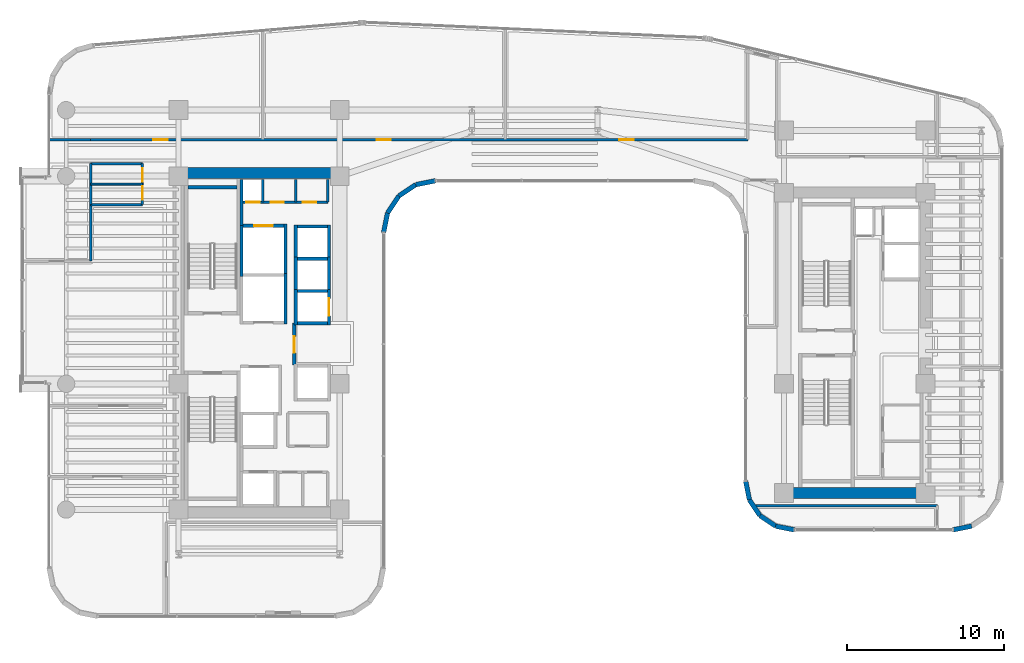
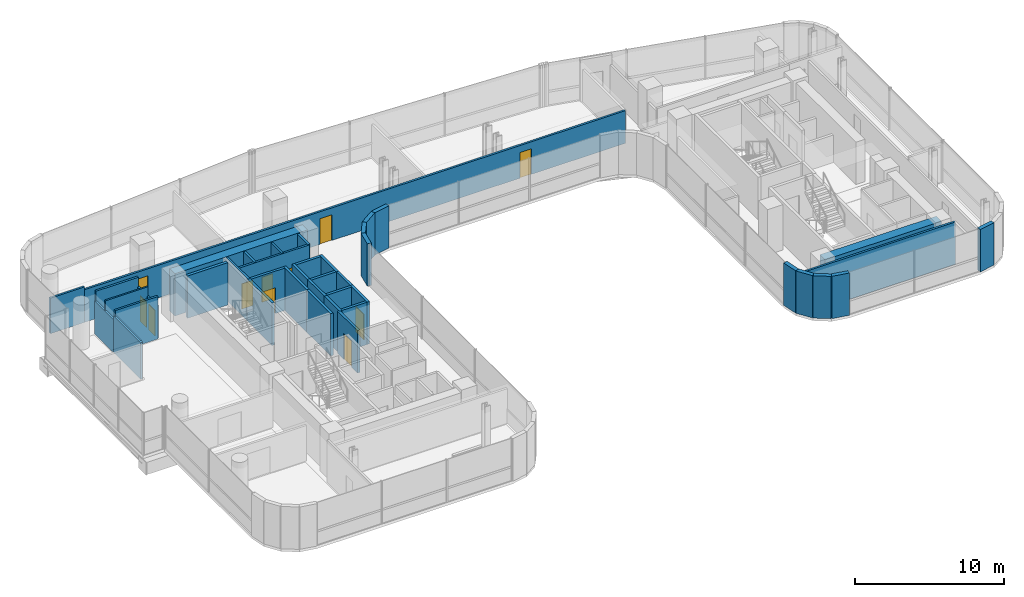
# One storey, part 27 of 34: 41 walls, 11 doors, 11 openings.
"""IFC4 building model written with IfcOpenShell, lengths in metres."""

from ifc_helpers import new_model, si_unit, direction, frame, frame_2d, origin, place, context, subcontext, project, spatial, rectangle, extrude, material, layer, layer_set, type_object, element, fill, save


model = new_model("IFC4")

# Units and contexts
model_context = context("Model", 3, precision=1e-05, world=origin(), true_north=direction((0.0, 1.0)))
body_context = subcontext(model_context, "Body", "Model", "MODEL_VIEW")
ifc_project = project(units=[si_unit("LENGTHUNIT", "METRE"), si_unit("AREAUNIT", "SQUARE_METRE"), si_unit("VOLUMEUNIT", "CUBIC_METRE"), si_unit("PLANEANGLEUNIT", "RADIAN"), si_unit("MASSUNIT", "GRAM", prefix="KILO")], contexts=[model_context])

# Site, building, storey
site_placement = place(None, origin())
site = spatial("IfcSite", under=ifc_project, at=site_placement, CompositionType="ELEMENT")
building_placement = place(site_placement, origin())
building = spatial("IfcBuilding", under=site, at=building_placement, Name="Valdorenza Pilgrim Sanctuary Tower", CompositionType="ELEMENT")
storey_placement = place(building_placement, frame((0.0, 0.0, 146.39990234375)))
storey = spatial("IfcBuildingStorey", under=building, at=storey_placement, Name="L37", CompositionType="ELEMENT", Elevation=146.39990234375)

# Wall
ifc_material_1 = material(Name="Acoustic twin-stud gypsum partition", Category="gypsum")
ifc_layer_1 = layer(ifc_material_1, 0.159912109375, Name="Acoustic twin-stud gypsum partition")
ifc_layer_set_1 = layer_set([ifc_layer_1], Name="Acoustic twin-stud gypsum partition")
wall_type_1 = type_object("IfcWallType", Name="WAL-COR-160", PredefinedType="PARTITIONING", material=ifc_layer_set_1)
wall_1_placement = place(storey_placement, frame((-18.64990234375, 7.449951171875, 0.0), z_axis=(0.0, 0.0, 1.0), x_axis=(0.0, 1.0, 0.0)))
element("IfcWall", 1, at=wall_1_placement, inside=storey, type_object=wall_type_1, Name="L37 Core A North Service West Wall", PredefinedType="PARTITIONING", context=body_context, shape_type="SweptSolid", body=[
    extrude(rectangle(XDim=2.929931640625, YDim=0.159912109375, at=frame_2d((1.46484375, 0.0))), origin(), (0.0, 0.0, 1.0), 3.460205078125),
])

# Wall, openings, doors
wall_2_placement = place(storey_placement, frame((-18.64990234375, 8.949951171875, 0.0), z_axis=(0.0, 0.0, 1.0), x_axis=(1.0, 0.0, 0.0)))
wall_2 = element("IfcWall", 2, at=wall_2_placement, inside=storey, type_object=wall_type_1, Name="L37 Core A North Service South Wall", PredefinedType="PARTITIONING", context=body_context, shape_type="SweptSolid", body=[
    extrude(rectangle(XDim=5.5, YDim=0.159912109375, at=frame_2d((2.75, 0.0))), origin(), (0.0, 0.0, 1.0), 3.460205078125),
])
opening_1_placement = place(wall_2_placement, frame((0.300048828125, 0.0, 0.0)))
opening_1 = element("IfcOpeningElement", 3, at=opening_1_placement, cuts=wall_2, Name="Opening DR-RS1", PredefinedType="OPENING", context=body_context, shape_type="SweptSolid", body=[
    extrude(rectangle(XDim=0.85009765625, YDim=2.050048828125, at=frame_2d((0.425048828125, 1.02490234375))), frame((0.0, 0.0947265625, 0.0), z_axis=(0.0, -1.0, 0.0), x_axis=(1.0, 0.0, 0.0)), (0.0, 0.0, 1.0), 0.189697265625),
])
opening_2_placement = place(wall_2_placement, frame((1.85009765625, 0.0, 0.0)))
opening_2 = element("IfcOpeningElement", 4, at=opening_2_placement, cuts=wall_2, Name="Opening DR-RS1", PredefinedType="OPENING", context=body_context, shape_type="SweptSolid", body=[
    extrude(rectangle(XDim=0.85009765625, YDim=2.050048828125, at=frame_2d((0.425048828125, 1.02490234375))), frame((0.0, 0.0947265625, 0.0), z_axis=(0.0, -1.0, 0.0), x_axis=(1.0, 0.0, 0.0)), (0.0, 0.0, 1.0), 0.189697265625),
])
opening_3_placement = place(wall_2_placement, frame((3.89990234375, 0.0, 0.0)))
opening_3 = element("IfcOpeningElement", 5, at=opening_3_placement, cuts=wall_2, Name="Opening DR-RS1", PredefinedType="OPENING", context=body_context, shape_type="SweptSolid", body=[
    extrude(rectangle(XDim=0.85009765625, YDim=2.050048828125, at=frame_2d((0.425048828125, 1.02490234375))), frame((0.0, 0.0947265625, 0.0), z_axis=(0.0, -1.0, 0.0), x_axis=(1.0, 0.0, 0.0)), (0.0, 0.0, 1.0), 0.189697265625),
])
ifc_material_2 = material(Name="Painted galvanized steel", Category="steel")
door_type_1 = type_object("IfcDoorType", Name="DR-RSR-850", OperationType="NOTDEFINED", PredefinedType="DOOR", material=ifc_material_2)
door_1_placement = place(opening_1_placement, origin())
door_1 = element("IfcDoor", 6, at=door_1_placement, inside=storey, type_object=door_type_1, Name="L37 Core Electrical and Telecom Riser Door", OperationType="SINGLE_SWING_LEFT", OverallHeight=2.050048828125, OverallWidth=0.85009765625, PredefinedType="DOOR", context=body_context, shape_type="SweptSolid", body=[
    extrude(rectangle(XDim=0.85009765625, YDim=2.050048828125, at=frame_2d((0.425048828125, 1.02490234375))), frame((0.0, 0.02490234375, 0.0), z_axis=(0.0, -1.0, 0.0), x_axis=(1.0, 0.0, 0.0)), (0.0, 0.0, 1.0), 0.050048828125),
])
fill(opening_1, door_1)
door_2_placement = place(opening_2_placement, origin())
door_2 = element("IfcDoor", 7, at=door_2_placement, inside=storey, type_object=door_type_1, Name="L37 Housekeeping and Clean Linen Room Door", OperationType="SINGLE_SWING_RIGHT", OverallHeight=2.050048828125, OverallWidth=0.85009765625, PredefinedType="DOOR", context=body_context, shape_type="SweptSolid", body=[
    extrude(rectangle(XDim=0.85009765625, YDim=2.050048828125, at=frame_2d((0.425048828125, 1.02490234375))), frame((0.0, 0.02490234375, 0.0), z_axis=(0.0, -1.0, 0.0), x_axis=(1.0, 0.0, 0.0)), (0.0, 0.0, 1.0), 0.050048828125),
])
fill(opening_2, door_2)
door_3_placement = place(opening_3_placement, origin())
door_3 = element("IfcDoor", 8, at=door_3_placement, inside=storey, type_object=door_type_1, Name="L37 Guest Ice and Vending Pantry Door", OperationType="SINGLE_SWING_LEFT", OverallHeight=2.050048828125, OverallWidth=0.85009765625, PredefinedType="DOOR", context=body_context, shape_type="SweptSolid", body=[
    extrude(rectangle(XDim=0.85009765625, YDim=2.050048828125, at=frame_2d((0.425048828125, 1.02490234375))), frame((0.0, 0.02490234375, 0.0), z_axis=(0.0, -1.0, 0.0), x_axis=(1.0, 0.0, 0.0)), (0.0, 0.0, 1.0), 0.050048828125),
])
fill(opening_3, door_3)

# Walls
for number, where, z_axis, x_axis, name in (
    (9, (-13.14990234375, 8.949951171875, 0.0), (0.0, 0.0, 1.0), (0.0, 1.0, 0.0), "L37 Core A North Service East Wall"),
    (10, (-17.300048828125, 8.949951171875, 0.0), (0.0, 0.0, 1.0), (0.0, 1.0, 0.0), "L37 Core Electrical Riser Wall"),
    (11, (-15.199951171875, 8.949951171875, 0.0), (0.0, 0.0, 1.0), (0.0, 1.0, 0.0), "L37 Core A Housekeeping Split B"),
):
    element("IfcWall", number, at=place(storey_placement, frame(where, z_axis=z_axis, x_axis=x_axis)), inside=storey, type_object=wall_type_1, Name=name, PredefinedType="PARTITIONING", context=body_context, shape_type="SweptSolid", body=[
        extrude(rectangle(XDim=1.429931640625, YDim=0.159912109375, at=frame_2d((0.71484375, 0.0))), origin(), (0.0, 0.0, 1.0), 3.460205078125),
    ])
wall_3_placement = place(storey_placement, frame((-28.25, 8.800048828125, 0.0), z_axis=(0.0, 0.0, 1.0), x_axis=(0.0, 1.0, 0.0)))
element("IfcWall", 12, at=wall_3_placement, inside=storey, type_object=wall_type_1, Name="L37 Washroom West Wall", PredefinedType="PARTITIONING", context=body_context, shape_type="SweptSolid", body=[
    extrude(rectangle(XDim=2.599853515625, YDim=0.159912109375, at=frame_2d((1.2998046875, 0.0))), origin(), (0.0, 0.0, 1.0), 2.666015625),
])

# Wall, openings, doors
wall_4_placement = place(storey_placement, frame((-24.949951171875, 8.800048828125, 0.0), z_axis=(0.0, 0.0, 1.0), x_axis=(0.0, 1.0, 0.0)))
wall_4 = element("IfcWall", 13, at=wall_4_placement, inside=storey, type_object=wall_type_1, Name="L37 Washroom East Wall", PredefinedType="PARTITIONING", context=body_context, shape_type="SweptSolid", body=[
    extrude(rectangle(XDim=2.599853515625, YDim=0.159912109375, at=frame_2d((1.2998046875, 0.0))), origin(), (0.0, 0.0, 1.0), 2.666015625),
])
opening_4_placement = place(wall_4_placement, frame((0.300048828125, 0.0, 0.0)))
opening_4 = element("IfcOpeningElement", 14, at=opening_4_placement, cuts=wall_4, Name="Opening DR-WC1", PredefinedType="OPENING", context=body_context, shape_type="SweptSolid", body=[
    extrude(rectangle(XDim=0.85009765625, YDim=2.10009765625, at=frame_2d((0.425048828125, 1.050048828125))), frame((0.0, 0.0947265625, 0.0), z_axis=(0.0, -1.0, 0.0), x_axis=(1.0, 0.0, 0.0)), (0.0, 0.0, 1.0), 0.189697265625),
])
opening_5_placement = place(wall_4_placement, frame((1.449951171875, 0.0, 0.0)))
opening_5 = element("IfcOpeningElement", 15, at=opening_5_placement, cuts=wall_4, Name="Opening DR-WC1", PredefinedType="OPENING", context=body_context, shape_type="SweptSolid", body=[
    extrude(rectangle(XDim=0.85009765625, YDim=2.10009765625, at=frame_2d((0.425048828125, 1.050048828125))), frame((0.0, 0.0947265625, 0.0), z_axis=(0.0, -1.0, 0.0), x_axis=(1.0, 0.0, 0.0)), (0.0, 0.0, 1.0), 0.189697265625),
])
ifc_material_3 = material(Name="Moisture-resistant lacquered timber", Category="wood")
door_type_2 = type_object("IfcDoorType", Name="DR-BATH-850", OperationType="NOTDEFINED", PredefinedType="DOOR", material=ifc_material_3)
door_4_placement = place(opening_4_placement, origin())
door_4 = element("IfcDoor", 16, at=door_4_placement, inside=storey, type_object=door_type_2, Name="L37 Accessible Washroom Door", OperationType="SINGLE_SWING_LEFT", OverallHeight=2.10009765625, OverallWidth=0.85009765625, PredefinedType="DOOR", context=body_context, shape_type="SweptSolid", body=[
    extrude(rectangle(XDim=0.85009765625, YDim=2.10009765625, at=frame_2d((0.425048828125, 1.050048828125))), frame((0.0, 0.02490234375, 0.0), z_axis=(0.0, -1.0, 0.0), x_axis=(1.0, 0.0, 0.0)), (0.0, 0.0, 1.0), 0.050048828125),
])
fill(opening_4, door_4)
door_5_placement = place(opening_5_placement, origin())
door_5 = element("IfcDoor", 17, at=door_5_placement, inside=storey, type_object=door_type_2, Name="L37 Public Washroom Door", OperationType="SINGLE_SWING_RIGHT", OverallHeight=2.10009765625, OverallWidth=0.85009765625, PredefinedType="DOOR", context=body_context, shape_type="SweptSolid", body=[
    extrude(rectangle(XDim=0.85009765625, YDim=2.10009765625, at=frame_2d((0.425048828125, 1.050048828125))), frame((0.0, 0.02490234375, 0.0), z_axis=(0.0, -1.0, 0.0), x_axis=(1.0, 0.0, 0.0)), (0.0, 0.0, 1.0), 0.050048828125),
])
fill(opening_5, door_5)

# Walls
for number, where, z_axis, x_axis, name in (
    (18, (-28.25, 8.800048828125, 0.0), (0.0, 0.0, 1.0), (1.0, 0.0, 0.0), "L37 Washroom South Wall"),
    (19, (-28.25, 11.39990234375, 0.0), (0.0, 0.0, 1.0), (1.0, 0.0, 0.0), "L37 Washroom North Wall"),
):
    element("IfcWall", number, at=place(storey_placement, frame(where, z_axis=z_axis, x_axis=x_axis)), inside=storey, type_object=wall_type_1, Name=name, PredefinedType="PARTITIONING", context=body_context, shape_type="SweptSolid", body=[
        extrude(rectangle(XDim=3.300048828125, YDim=0.159912109375, at=frame_2d((1.64990234375, 0.0))), origin(), (0.0, 0.0, 1.0), 3.460205078125),
    ])
wall_5_placement = place(storey_placement, frame((-28.25, 5.199951171875, 0.0), z_axis=(0.0, 0.0, 1.0), x_axis=(0.0, 1.0, 0.0)))
element("IfcWall", 20, at=wall_5_placement, inside=storey, type_object=wall_type_1, Name="L37 Cloister NE Closure", PredefinedType="PARTITIONING", context=body_context, shape_type="SweptSolid", body=[
    extrude(rectangle(XDim=3.60009765625, YDim=0.159912109375, at=frame_2d((1.800048828125, 0.0))), origin(), (0.0, 0.0, 1.0), 2.988037109375),
])
wall_6_placement = place(storey_placement, frame((-30.889892578125, 12.919921875, 0.0), z_axis=(0.0, 0.0, 1.0), x_axis=(1.0, 0.0, 0.0)))
element("IfcWall", 21, at=wall_6_placement, inside=storey, type_object=wall_type_1, Name="L37 Cloister North Solid Partition", PredefinedType="PARTITIONING", context=body_context, shape_type="SweptSolid", body=[
    extrude(rectangle(XDim=2.639892578125, YDim=0.159912109375, at=frame_2d((1.31982421875, 0.0))), origin(), (0.0, 0.0, 1.0), 2.89599609375),
])

# Wall, openings, doors
wall_7_placement = place(storey_placement, frame((-28.25, 12.919921875, 0.0), z_axis=(0.0, 0.0, 1.0), x_axis=(1.0, 0.0, 0.0)))
wall_7 = element("IfcWall", 22, at=wall_7_placement, inside=storey, type_object=wall_type_1, Name="L37 North Corridor Wall", PredefinedType="PARTITIONING", context=body_context, shape_type="SweptSolid", body=[
    extrude(rectangle(XDim=41.800048828125, YDim=0.159912109375, at=frame_2d((20.89990234375, 0.0))), origin(), (0.0, 0.0, 1.0), 2.666015625),
])
opening_6_placement = place(wall_7_placement, frame((4.0, 0.0, 0.0)))
opening_6 = element("IfcOpeningElement", 23, at=opening_6_placement, cuts=wall_7, Name="Opening DR-RM1", PredefinedType="OPENING", context=body_context, shape_type="SweptSolid", body=[
    extrude(rectangle(XDim=0.89990234375, YDim=2.10009765625, at=frame_2d((0.449951171875, 1.050048828125))), frame((0.0, 0.0947265625, 0.0), z_axis=(0.0, -1.0, 0.0), x_axis=(1.0, 0.0, 0.0)), (0.0, 0.0, 1.0), 0.189697265625),
])
opening_7_placement = place(wall_7_placement, frame((18.205078125, 0.0, 0.0)))
opening_7 = element("IfcOpeningElement", 24, at=opening_7_placement, cuts=wall_7, Name="Opening DR-RM1", PredefinedType="OPENING", context=body_context, shape_type="SweptSolid", body=[
    extrude(rectangle(XDim=0.89990234375, YDim=2.10009765625, at=frame_2d((0.449951171875, 1.050048828125))), frame((0.0, 0.0947265625, 0.0), z_axis=(0.0, -1.0, 0.0), x_axis=(1.0, 0.0, 0.0)), (0.0, 0.0, 1.0), 0.189697265625),
])
opening_8_placement = place(wall_7_placement, frame((33.635009765625, 0.0, 0.0)))
opening_8 = element("IfcOpeningElement", 25, at=opening_8_placement, cuts=wall_7, Name="Opening DR-RM1", PredefinedType="OPENING", context=body_context, shape_type="SweptSolid", body=[
    extrude(rectangle(XDim=0.89990234375, YDim=2.10009765625, at=frame_2d((0.449951171875, 1.050048828125))), frame((0.0, 0.0947265625, 0.0), z_axis=(0.0, -1.0, 0.0), x_axis=(1.0, 0.0, 0.0)), (0.0, 0.0, 1.0), 0.189697265625),
])
ifc_material_4 = material(Name="Solid-core European oak timber", Category="wood")
door_type_3 = type_object("IfcDoorType", Name="DR-ROOM-900", OperationType="NOTDEFINED", PredefinedType="DOOR", material=ifc_material_4)
door_6_placement = place(opening_6_placement, frame((0.89990234375, 0.0, 0.0), z_axis=(0.0, 0.0, 1.0), x_axis=(-1.0, 0.0, 0.0)))
door_6 = element("IfcDoor", 26, at=door_6_placement, inside=storey, type_object=door_type_3, Name="L37 Private Banquet Dining Room L37-N1 Door", OperationType="SINGLE_SWING_LEFT", OverallHeight=2.10009765625, OverallWidth=0.89990234375, PredefinedType="DOOR", context=body_context, shape_type="SweptSolid", body=[
    extrude(rectangle(XDim=0.89990234375, YDim=2.10009765625, at=frame_2d((0.449951171875, 1.050048828125))), frame((0.0, 0.02490234375, 0.0), z_axis=(0.0, -1.0, 0.0), x_axis=(1.0, 0.0, 0.0)), (0.0, 0.0, 1.0), 0.050048828125),
])
fill(opening_6, door_6)
door_7_placement = place(opening_7_placement, origin())
door_7 = element("IfcDoor", 27, at=door_7_placement, inside=storey, type_object=door_type_3, Name="L37 Private Banquet Dining Room L37-N2 Door", OperationType="SINGLE_SWING_RIGHT", OverallHeight=2.10009765625, OverallWidth=0.89990234375, PredefinedType="DOOR", context=body_context, shape_type="SweptSolid", body=[
    extrude(rectangle(XDim=0.89990234375, YDim=2.10009765625, at=frame_2d((0.449951171875, 1.050048828125))), frame((0.0, 0.02490234375, 0.0), z_axis=(0.0, -1.0, 0.0), x_axis=(1.0, 0.0, 0.0)), (0.0, 0.0, 1.0), 0.050048828125),
])
fill(opening_7, door_7)
door_8_placement = place(opening_8_placement, frame((0.89990234375, 0.0, 0.0), z_axis=(0.0, 0.0, 1.0), x_axis=(-1.0, 0.0, 0.0)))
door_8 = element("IfcDoor", 28, at=door_8_placement, inside=storey, type_object=door_type_3, Name="L37 Private Banquet Dining Room L37-N3 Door", OperationType="SINGLE_SWING_LEFT", OverallHeight=2.10009765625, OverallWidth=0.89990234375, PredefinedType="DOOR", context=body_context, shape_type="SweptSolid", body=[
    extrude(rectangle(XDim=0.89990234375, YDim=2.10009765625, at=frame_2d((0.449951171875, 1.050048828125))), frame((0.0, 0.02490234375, 0.0), z_axis=(0.0, -1.0, 0.0), x_axis=(1.0, 0.0, 0.0)), (0.0, 0.0, 1.0), 0.050048828125),
])
fill(opening_8, door_8)

# Walls
wall_8_placement = place(storey_placement, frame((14.043701171875, -10.35009765625, 0.0), z_axis=(0.0, 0.0, 1.0), x_axis=(1.0, 0.0, 0.0)))
element("IfcWall", 29, at=wall_8_placement, inside=storey, type_object=wall_type_1, Name="L37 Wing B South Closure", PredefinedType="PARTITIONING", context=body_context, shape_type="SweptSolid", body=[
    extrude(rectangle(XDim=11.556396484375, YDim=0.159912109375, at=frame_2d((5.7783203125, 0.0))), origin(), (0.0, 0.0, 1.0), 3.460205078125),
])
ifc_material_5 = material(Name="Concrete C60/75", Category="concrete")
ifc_layer_2 = layer(ifc_material_5, 0.699951171875, Name="Concrete C60/75")
ifc_layer_set_2 = layer_set([ifc_layer_2], Name="Concrete C60/75")
wall_type_2 = type_object("IfcWallType", Name="WAL-COR-700", PredefinedType="SHEAR", material=ifc_layer_set_2)
wall_9_placement = place(storey_placement, frame((-22.64990234375, 10.800048828125, 0.0), z_axis=(0.0, 0.0, 1.0), x_axis=(1.0, 0.0, 0.0)))
element("IfcWall", 30, at=wall_9_placement, inside=storey, type_object=wall_type_2, Name="L37 Split Core A Shear Wall N", PredefinedType="SHEAR", context=body_context, shape_type="SweptSolid", body=[
    extrude(rectangle(XDim=10.25, YDim=0.699951171875, at=frame_2d((5.125, 0.0))), origin(), (0.0, 0.0, 1.0), 3.460205078125),
])
wall_10_placement = place(storey_placement, frame((15.85009765625, -9.550048828125, 0.0), z_axis=(0.0, 0.0, 1.0), x_axis=(1.0, 0.0, 0.0)))
element("IfcWall", 31, at=wall_10_placement, inside=storey, type_object=wall_type_2, Name="L37 Split Core B Shear Wall S", PredefinedType="SHEAR", context=body_context, shape_type="SweptSolid", body=[
    extrude(rectangle(XDim=9.0, YDim=0.699951171875, at=frame_2d((4.5, 0.0))), origin(), (0.0, 0.0, 1.0), 3.460205078125),
])
ifc_material_6 = material(Name="Honed travertine limestone", Category="masonry")
ifc_layer_3 = layer(ifc_material_6, 0.300048828125, Name="Honed travertine limestone")
ifc_layer_set_3 = layer_set([ifc_layer_3], Name="Honed travertine limestone")
wall_type_3 = type_object("IfcWallType", Name="WAL-EXT-300", PredefinedType="SOLIDWALL", material=ifc_layer_set_3)
wall_11_placement = place(storey_placement, frame((27.78173828125, -11.65283203125, 0.0), z_axis=(0.0, 0.0, 1.0), x_axis=(-0.980811661072, -0.194957650543, 0.0)))
element("IfcWall", 32, at=wall_11_placement, inside=storey, type_object=wall_type_3, Name="L37 Rounded Wind-Corner Stone Pier 25", PredefinedType="SOLIDWALL", context=body_context, shape_type="SweptSolid", body=[
    extrude(rectangle(XDim=1.216064453125, YDim=0.300048828125, at=frame_2d((0.60791015625, 0.0))), origin(), (0.0, 0.0, 1.0), 3.460205078125),
])
wall_12_placement = place(storey_placement, frame((16.5107421875, -11.889892578125, 0.0), z_axis=(0.0, 0.0, 1.0), x_axis=(-0.980804027463, 0.194996050505, 0.0)))
element("IfcWall", 33, at=wall_12_placement, inside=storey, type_object=wall_type_3, Name="L37 Rounded Wind-Corner Stone Pier 27", PredefinedType="SOLIDWALL", context=body_context, shape_type="SweptSolid", body=[
    extrude(rectangle(XDim=1.2158203125, YDim=0.300048828125, at=frame_2d((0.60791015625, 0.0))), origin(), (0.0, 0.0, 1.0), 3.460205078125),
])
for number, where, z_axis, x_axis, name in (
    (34, (15.318359375, -11.65283203125, 0.0), (0.0, 0.0, 1.0), (-0.831426265255, 0.555635100982, 0.0), "L37 Rounded Wind-Corner Stone Pier 28"),
    (35, (14.316650390625, -10.9833984375, 0.0), (0.0, 0.0, 1.0), (-0.555635100982, 0.831426265255, 0.0), "L37 Rounded Wind-Corner Stone Pier 29"),
):
    element("IfcWall", number, at=place(storey_placement, frame(where, z_axis=z_axis, x_axis=x_axis)), inside=storey, type_object=wall_type_3, Name=name, PredefinedType="SOLIDWALL", context=body_context, shape_type="SweptSolid", body=[
        extrude(rectangle(XDim=1.204833984375, YDim=0.300048828125, at=frame_2d((0.6025390625, 0.0))), origin(), (0.0, 0.0, 1.0), 3.460205078125),
    ])
wall_13_placement = place(storey_placement, frame((13.647216796875, -9.981689453125, 0.0), z_axis=(0.0, 0.0, 1.0), x_axis=(-0.195189223115, 0.980765602568, 0.0)))
element("IfcWall", 36, at=wall_13_placement, inside=storey, type_object=wall_type_3, Name="L37 Rounded Wind-Corner Stone Pier 30", PredefinedType="SOLIDWALL", context=body_context, shape_type="SweptSolid", body=[
    extrude(rectangle(XDim=1.2158203125, YDim=0.300048828125, at=frame_2d((0.60791015625, 0.0))), origin(), (0.0, 0.0, 1.0), 3.460205078125),
])
wall_14_placement = place(storey_placement, frame((-6.310791015625, 10.31005859375, 0.0), z_axis=(0.0, 0.0, 1.0), x_axis=(-0.980778058848, -0.195126623715, 0.0)))
element("IfcWall", 37, at=wall_14_placement, inside=storey, type_object=wall_type_3, Name="L37 Rounded Wind-Corner Stone Pier 37", PredefinedType="SOLIDWALL", context=body_context, shape_type="SweptSolid", body=[
    extrude(rectangle(XDim=1.28125, YDim=0.300048828125, at=frame_2d((0.640625, 0.0))), origin(), (0.0, 0.0, 1.0), 3.460205078125),
])
wall_15_placement = place(storey_placement, frame((-7.5673828125, 10.06005859375, 0.0), z_axis=(0.0, 0.0, 1.0), x_axis=(-0.831497739511, -0.555528135371, 0.0)))
element("IfcWall", 38, at=wall_15_placement, inside=storey, type_object=wall_type_3, Name="L37 Rounded Wind-Corner Stone Pier 38", PredefinedType="SOLIDWALL", context=body_context, shape_type="SweptSolid", body=[
    extrude(rectangle(XDim=1.29248046875, YDim=0.300048828125, at=frame_2d((0.646240234375, 0.0))), origin(), (0.0, 0.0, 1.0), 3.460205078125),
])
wall_16_placement = place(storey_placement, frame((-8.64208984375, 9.342041015625, 0.0), z_axis=(0.0, 0.0, 1.0), x_axis=(-0.555615398575, -0.831439431869, 0.0)))
element("IfcWall", 39, at=wall_16_placement, inside=storey, type_object=wall_type_3, Name="L37 Rounded Wind-Corner Stone Pier 39", PredefinedType="SOLIDWALL", context=body_context, shape_type="SweptSolid", body=[
    extrude(rectangle(XDim=1.292236328125, YDim=0.300048828125, at=frame_2d((0.64599609375, 0.0))), origin(), (0.0, 0.0, 1.0), 3.460205078125),
])
wall_17_placement = place(storey_placement, frame((-9.360107421875, 8.267578125, 0.0), z_axis=(0.0, 0.0, 1.0), x_axis=(-0.195090163074, -0.980785312019, 0.0)))
element("IfcWall", 40, at=wall_17_placement, inside=storey, type_object=wall_type_3, Name="L37 Rounded Wind-Corner Stone Pier 40", PredefinedType="SOLIDWALL", context=body_context, shape_type="SweptSolid", body=[
    extrude(rectangle(XDim=1.281494140625, YDim=0.300048828125, at=frame_2d((0.640625, 0.0))), origin(), (0.0, 0.0, 1.0), 3.460205078125),
])

# Wall, opening, door
ifc_material_7 = material(Name="Gypsum shaftwall partition", Category="gypsum")
ifc_layer_4 = layer(ifc_material_7, 0.199951171875, Name="Gypsum shaftwall partition")
ifc_layer_set_4 = layer_set([ifc_layer_4], Name="Gypsum shaftwall partition")
wall_type_4 = type_object("IfcWallType", Name="WAL-FFL-200", PredefinedType="PARTITIONING", material=ifc_layer_set_4)
wall_18_placement = place(storey_placement, frame((-15.300048828125, -1.419921875, 0.0), z_axis=(0.0, 0.0, 1.0), x_axis=(0.0, 1.0, 0.0)))
wall_18 = element("IfcWall", 41, at=wall_18_placement, inside=storey, type_object=wall_type_4, Name="L37 Core A Firefighting Lobby East Wall", PredefinedType="PARTITIONING", context=body_context, shape_type="SweptSolid", body=[
    extrude(rectangle(XDim=2.669921875, YDim=0.199951171875, at=frame_2d((1.3349609375, 0.0))), origin(), (0.0, 0.0, 1.0), 3.460205078125),
])
opening_9_placement = place(wall_18_placement, frame((0.780029296875, 0.0, 0.0)))
opening_9 = element("IfcOpeningElement", 42, at=opening_9_placement, cuts=wall_18, Name="Opening DR-FL1", PredefinedType="OPENING", context=body_context, shape_type="SweptSolid", body=[
    extrude(rectangle(XDim=1.050048828125, YDim=2.14990234375, at=frame_2d((0.52490234375, 1.074951171875))), frame((0.0, 0.11474609375, 0.0), z_axis=(0.0, -1.0, 0.0), x_axis=(1.0, 0.0, 0.0)), (0.0, 0.0, 1.0), 0.229736328125),
])
door_type_4 = type_object("IfcDoorType", Name="DR-FFL-1050", OperationType="NOTDEFINED", PredefinedType="DOOR", material=ifc_material_2)
door_9_placement = place(opening_9_placement, origin())
door_9 = element("IfcDoor", 43, at=door_9_placement, inside=storey, type_object=door_type_4, Name="L37 Core A Firefighting Lobby Door", OperationType="SINGLE_SWING_RIGHT", OverallHeight=2.14990234375, OverallWidth=1.050048828125, PredefinedType="DOOR", context=body_context, shape_type="SweptSolid", body=[
    extrude(rectangle(XDim=1.050048828125, YDim=2.14990234375, at=frame_2d((0.52490234375, 1.074951171875))), frame((0.0, 0.02490234375, 0.0), z_axis=(0.0, -1.0, 0.0), x_axis=(1.0, 0.0, 0.0)), (0.0, 0.0, 1.0), 0.050048828125),
])
fill(opening_9, door_9)

# Walls
ifc_material_8 = material(Name="Moisture-resistant gypsum partition", Category="gypsum")
ifc_layer_5 = layer(ifc_material_8, 0.1201171875, Name="Moisture-resistant gypsum partition")
ifc_layer_set_5 = layer_set([ifc_layer_5], Name="Moisture-resistant gypsum partition")
wall_type_5 = type_object("IfcWallType", Name="WAL-INT-120", PredefinedType="PARTITIONING", material=ifc_layer_set_5)
wall_19_placement = place(storey_placement, frame((-28.25, 10.10009765625, 0.0), z_axis=(0.0, 0.0, 1.0), x_axis=(1.0, 0.0, 0.0)))
element("IfcWall", 44, at=wall_19_placement, inside=storey, type_object=wall_type_5, Name="L37 Washroom Divider Wall", PredefinedType="PARTITIONING", context=body_context, shape_type="SweptSolid", body=[
    extrude(rectangle(XDim=3.300048828125, YDim=0.1201171875, at=frame_2d((1.64990234375, 0.0))), origin(), (0.0, 0.0, 1.0), 3.460205078125),
])
ifc_material_9 = material(Name="Autoclaved aerated concrete blockwork", Category="masonry")
ifc_layer_6 = layer(ifc_material_9, 0.199951171875, Name="Autoclaved aerated concrete blockwork")
ifc_layer_set_6 = layer_set([ifc_layer_6], Name="Autoclaved aerated concrete blockwork")
wall_type_6 = type_object("IfcWallType", Name="WAL-SHF-200", PredefinedType="MOVABLE", material=ifc_layer_set_6)
wall_20_placement = place(storey_placement, frame((-15.85009765625, 1.199951171875, 0.0), z_axis=(0.0, 0.0, 1.0), x_axis=(0.0, 1.0, 0.0)))
element("IfcWall", 45, at=wall_20_placement, inside=storey, type_object=wall_type_6, Name="L37 Lift FFL-01 Hoistway Wall East", PredefinedType="MOVABLE", context=body_context, shape_type="SweptSolid", body=[
    extrude(rectangle(XDim=3.22509765625, YDim=0.199951171875, at=frame_2d((1.612548828125, 0.0))), origin(), (0.0, 0.0, 1.0), 3.460205078125),
])
for number, where, z_axis, x_axis, name in (
    (46, (-18.64990234375, 4.22509765625, 0.0), (0.0, 0.0, 1.0), (0.0, 1.0, 0.0), "L37 Lift SVL-01 Hoistway Wall West"),
    (47, (-15.85009765625, 4.22509765625, 0.0), (0.0, 0.0, 1.0), (0.0, 1.0, 0.0), "L37 Lift SVL-01 Hoistway Wall East"),
):
    element("IfcWall", number, at=place(storey_placement, frame(where, z_axis=z_axis, x_axis=x_axis)), inside=storey, type_object=wall_type_6, Name=name, PredefinedType="MOVABLE", context=body_context, shape_type="SweptSolid", body=[
        extrude(rectangle(XDim=3.324951171875, YDim=0.199951171875, at=frame_2d((1.66259765625, 0.0))), origin(), (0.0, 0.0, 1.0), 3.460205078125),
    ])

# Wall, opening, door
wall_21_placement = place(storey_placement, frame((-18.550048828125, 7.449951171875, 0.0), z_axis=(0.0, 0.0, 1.0), x_axis=(1.0, 0.0, 0.0)))
wall_21 = element("IfcWall", 48, at=wall_21_placement, inside=storey, type_object=wall_type_6, Name="L37 Lift SVL-01 Hoistway Wall North", PredefinedType="MOVABLE", context=body_context, shape_type="SweptSolid", body=[
    extrude(rectangle(XDim=2.60009765625, YDim=0.199951171875, at=frame_2d((1.300048828125, 0.0))), origin(), (0.0, 0.0, 1.0), 3.460205078125),
])
opening_10_placement = place(wall_21_placement, frame((0.699951171875, 0.0, 0.0)))
opening_10 = element("IfcOpeningElement", 49, at=opening_10_placement, cuts=wall_21, Name="Opening LD-02", PredefinedType="OPENING", context=body_context, shape_type="SweptSolid", body=[
    extrude(rectangle(XDim=1.199951171875, YDim=2.10009765625, at=frame_2d((0.60009765625, 1.050048828125))), frame((0.0, 0.11474609375, 0.0), z_axis=(0.0, -1.0, 0.0), x_axis=(1.0, 0.0, 0.0)), (0.0, 0.0, 1.0), 0.229736328125),
])
ifc_material_10 = material(Name="Brushed stainless steel Grade 316", Category="steel")
door_type_5 = type_object("IfcDoorType", Name="DR-LFT-1200", OperationType="DOUBLE_DOOR_SLIDING", PredefinedType="DOOR", material=ifc_material_10)
door_10_placement = place(opening_10_placement, origin())
door_10 = element("IfcDoor", 50, at=door_10_placement, inside=storey, type_object=door_type_5, Name="L37 Lift SVL-01 Sliding Landing Door", OperationType="DOUBLE_DOOR_SLIDING", OverallHeight=2.10009765625, OverallWidth=1.199951171875, PredefinedType="DOOR", context=body_context, shape_type="SweptSolid", body=[
    extrude(rectangle(XDim=1.199951171875, YDim=2.10009765625, at=frame_2d((0.60009765625, 1.050048828125))), frame((0.0, 0.02490234375, 0.0), z_axis=(0.0, -1.0, 0.0), x_axis=(1.0, 0.0, 0.0)), (0.0, 0.0, 1.0), 0.050048828125),
])
fill(opening_10, door_10)

# Wall
wall_22_placement = place(storey_placement, frame((-15.199951171875, 1.14990234375, 0.0), z_axis=(0.0, 0.0, 1.0), x_axis=(0.0, 1.0, 0.0)))
element("IfcWall", 51, at=wall_22_placement, inside=storey, type_object=wall_type_6, Name="L37 Lift PL-06 Hoistway Wall West", PredefinedType="MOVABLE", context=body_context, shape_type="SweptSolid", body=[
    extrude(rectangle(XDim=2.25, YDim=0.199951171875, at=frame_2d((1.125, 0.0))), origin(), (0.0, 0.0, 1.0), 3.460205078125),
])

# Wall, opening, door
wall_23_placement = place(storey_placement, frame((-13.080078125, 1.14990234375, 0.0), z_axis=(0.0, 0.0, 1.0), x_axis=(0.0, 1.0, 0.0)))
wall_23 = element("IfcWall", 52, at=wall_23_placement, inside=storey, type_object=wall_type_6, Name="L37 Lift PL-06 Hoistway Wall East", PredefinedType="MOVABLE", context=body_context, shape_type="SweptSolid", body=[
    extrude(rectangle(XDim=2.25, YDim=0.199951171875, at=frame_2d((1.125, 0.0))), origin(), (0.0, 0.0, 1.0), 3.460205078125),
])
opening_11_placement = place(wall_23_placement, frame((0.574951171875, 0.0, 0.0)))
opening_11 = element("IfcOpeningElement", 53, at=opening_11_placement, cuts=wall_23, Name="Opening LD-01", PredefinedType="OPENING", context=body_context, shape_type="SweptSolid", body=[
    extrude(rectangle(XDim=1.10009765625, YDim=2.10009765625, at=frame_2d((0.550048828125, 1.050048828125))), frame((0.0, 0.11474609375, 0.0), z_axis=(0.0, -1.0, 0.0), x_axis=(1.0, 0.0, 0.0)), (0.0, 0.0, 1.0), 0.229736328125),
])
door_type_6 = type_object("IfcDoorType", Name="DR-LFT-1100", OperationType="DOUBLE_DOOR_SLIDING", PredefinedType="DOOR", material=ifc_material_10)
door_11_placement = place(opening_11_placement, origin())
door_11 = element("IfcDoor", 54, at=door_11_placement, inside=storey, type_object=door_type_6, Name="L37 Lift PL-06 Sliding Landing Door", OperationType="DOUBLE_DOOR_SLIDING", OverallHeight=2.10009765625, OverallWidth=1.10009765625, PredefinedType="DOOR", context=body_context, shape_type="SweptSolid", body=[
    extrude(rectangle(XDim=1.10009765625, YDim=2.10009765625, at=frame_2d((0.550048828125, 1.050048828125))), frame((0.0, 0.02490234375, 0.0), z_axis=(0.0, -1.0, 0.0), x_axis=(1.0, 0.0, 0.0)), (0.0, 0.0, 1.0), 0.050048828125),
])
fill(opening_11, door_11)

# Walls
wall_24_placement = place(storey_placement, frame((-15.10009765625, 1.25, 0.0), z_axis=(0.0, 0.0, 1.0), x_axis=(1.0, 0.0, 0.0)))
element("IfcWall", 55, at=wall_24_placement, inside=storey, type_object=wall_type_6, Name="L37 Lift PL-06 Hoistway Wall South", PredefinedType="MOVABLE", context=body_context, shape_type="SweptSolid", body=[
    extrude(rectangle(XDim=1.920166015625, YDim=0.199951171875, at=frame_2d((0.9599609375, 0.0))), origin(), (0.0, 0.0, 1.0), 3.460205078125),
])
for number, where, z_axis, x_axis, name in (
    (56, (-15.199951171875, 3.199951171875, 0.0), (0.0, 0.0, 1.0), (0.0, 1.0, 0.0), "L37 Lift PL-09 Hoistway Wall West"),
    (57, (-13.080078125, 3.199951171875, 0.0), (0.0, 0.0, 1.0), (0.0, 1.0, 0.0), "L37 Lift PL-09 Hoistway Wall East"),
):
    element("IfcWall", number, at=place(storey_placement, frame(where, z_axis=z_axis, x_axis=x_axis)), inside=storey, type_object=wall_type_6, Name=name, PredefinedType="MOVABLE", context=body_context, shape_type="SweptSolid", body=[
        extrude(rectangle(XDim=2.25, YDim=0.199951171875, at=frame_2d((1.125, 0.0))), origin(), (0.0, 0.0, 1.0), 3.460205078125),
    ])
for number, where, z_axis, x_axis, name in (
    (58, (-15.10009765625, 3.300048828125, 0.0), (0.0, 0.0, 1.0), (1.0, 0.0, 0.0), "L37 Lift PL-09 Hoistway Wall South"),
    (59, (-15.10009765625, 5.35009765625, 0.0), (0.0, 0.0, 1.0), (1.0, 0.0, 0.0), "L37 Lift PL-09 Hoistway Wall North"),
):
    element("IfcWall", number, at=place(storey_placement, frame(where, z_axis=z_axis, x_axis=x_axis)), inside=storey, type_object=wall_type_6, Name=name, PredefinedType="MOVABLE", context=body_context, shape_type="SweptSolid", body=[
        extrude(rectangle(XDim=1.920166015625, YDim=0.199951171875, at=frame_2d((0.9599609375, 0.0))), origin(), (0.0, 0.0, 1.0), 3.460205078125),
    ])
for number, where, z_axis, x_axis, name in (
    (60, (-15.199951171875, 5.25, 0.0), (0.0, 0.0, 1.0), (0.0, 1.0, 0.0), "L37 Lift PL-10 Hoistway Wall West"),
    (61, (-13.080078125, 5.25, 0.0), (0.0, 0.0, 1.0), (0.0, 1.0, 0.0), "L37 Lift PL-10 Hoistway Wall East"),
):
    element("IfcWall", number, at=place(storey_placement, frame(where, z_axis=z_axis, x_axis=x_axis)), inside=storey, type_object=wall_type_6, Name=name, PredefinedType="MOVABLE", context=body_context, shape_type="SweptSolid", body=[
        extrude(rectangle(XDim=2.25, YDim=0.199951171875, at=frame_2d((1.125, 0.0))), origin(), (0.0, 0.0, 1.0), 3.460205078125),
    ])
wall_25_placement = place(storey_placement, frame((-15.10009765625, 7.39990234375, 0.0), z_axis=(0.0, 0.0, 1.0), x_axis=(1.0, 0.0, 0.0)))
element("IfcWall", 62, at=wall_25_placement, inside=storey, type_object=wall_type_6, Name="L37 Lift PL-10 Hoistway Wall North", PredefinedType="MOVABLE", context=body_context, shape_type="SweptSolid", body=[
    extrude(rectangle(XDim=1.920166015625, YDim=0.199951171875, at=frame_2d((0.9599609375, 0.0))), origin(), (0.0, 0.0, 1.0), 3.460205078125),
])
ifc_material_11 = material(Name="Concrete C40/50", Category="concrete")
ifc_layer_7 = layer(ifc_material_11, 0.219970703125, Name="Concrete C40/50")
ifc_layer_set_7 = layer_set([ifc_layer_7], Name="Concrete C40/50")
wall_type_7 = type_object("IfcWallType", Name="WAL-STR-SHF-220", PredefinedType="SHEAR", material=ifc_layer_set_7)
wall_26_placement = place(storey_placement, frame((-22.050048828125, 9.909912109375, 0.0), z_axis=(0.0, 0.0, 1.0), x_axis=(1.0, 0.0, 0.0)))
element("IfcWall", 63, at=wall_26_placement, inside=storey, type_object=wall_type_7, Name="L37 ST-A1 Structural Stairwell Wall N", PredefinedType="SHEAR", context=body_context, shape_type="SweptSolid", body=[
    extrude(rectangle(XDim=3.110107421875, YDim=0.219970703125, at=frame_2d((1.55517578125, 0.0))), origin(), (0.0, 0.0, 1.0), 3.460205078125),
])

save(model, "model.ifc")
